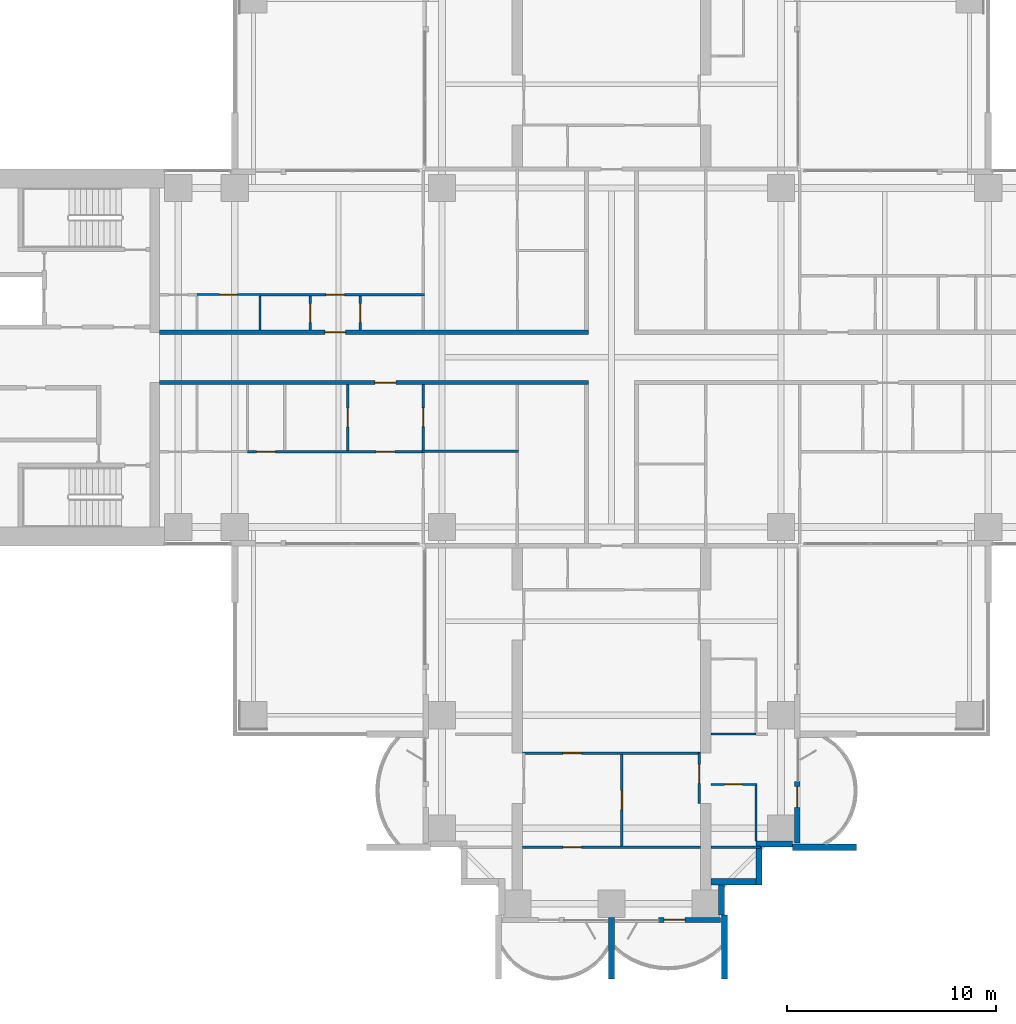
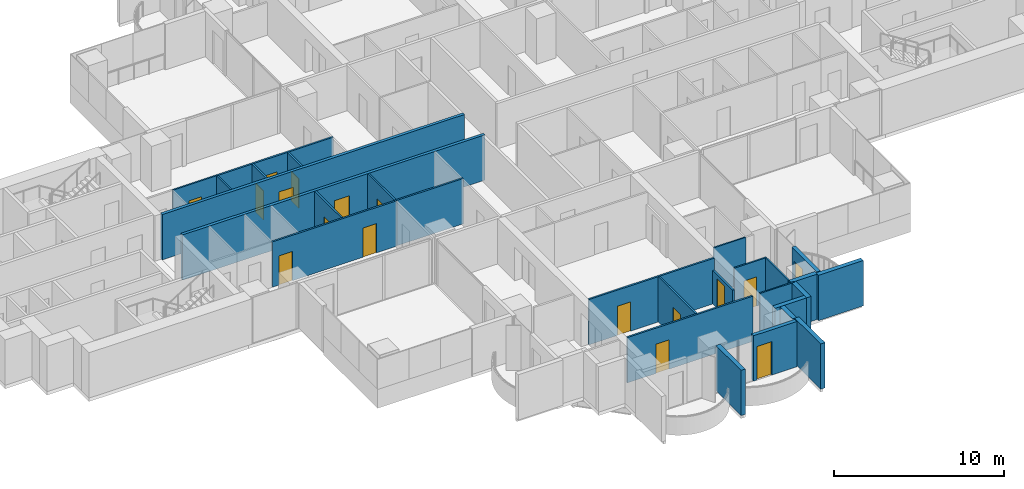
# One storey, part 11 of 21: 28 walls, 17 doors, 17 openings.
"""IFC4 building model written with IfcOpenShell, lengths in metres."""

from ifc_helpers import new_model, si_unit, direction, frame, frame_2d, origin, place, context, subcontext, project, spatial, rectangle, extrude, material, layer, layer_set, type_object, element, fill, save


model = new_model("IFC4")

# Units and contexts
model_context = context("Model", 3, precision=1e-05, world=origin(), true_north=direction((0.0, 1.0)))
body_context = subcontext(model_context, "Body", "Model", "MODEL_VIEW")
ifc_project = project(units=[si_unit("LENGTHUNIT", "METRE"), si_unit("AREAUNIT", "SQUARE_METRE"), si_unit("VOLUMEUNIT", "CUBIC_METRE"), si_unit("PLANEANGLEUNIT", "RADIAN"), si_unit("MASSUNIT", "GRAM", prefix="KILO")], contexts=[model_context])

# Site, building, storey
site_placement = place(None, origin())
site = spatial("IfcSite", under=ifc_project, at=site_placement, CompositionType="ELEMENT")
building_placement = place(site_placement, origin())
building = spatial("IfcBuilding", under=site, at=building_placement, Name="Perihelion Cross Residences", CompositionType="ELEMENT")
storey_placement = place(building_placement, frame((0.0, 0.0, 54.0)))
storey = spatial("IfcBuildingStorey", under=building, at=storey_placement, Name="L10", CompositionType="ELEMENT", Elevation=54.0)

# Wall, opening, door
ifc_material_1 = material(Name="Plasterboard partition")
ifc_layer_1 = layer(ifc_material_1, 0.199951171875)
ifc_layer_set_1 = layer_set([ifc_layer_1], Name="Apartment separation wall 200")
wall_type_1 = type_object("IfcWallType", Name="Apartment separation wall 200", PredefinedType="PARTITIONING", material=ifc_layer_set_1)
wall_1_placement = place(storey_placement, frame((-21.60009765625, 1.199951171875, 0.0), z_axis=(0.0, 0.0, 1.0), x_axis=(1.0, 0.0, 0.0)))
wall_1 = element("IfcWall", 1, at=wall_1_placement, inside=storey, type_object=wall_type_1, Name="Partition L10 W005", PredefinedType="PARTITIONING", context=body_context, shape_type="SweptSolid", body=[
    extrude(rectangle(XDim=20.5, YDim=0.199951171875, at=frame_2d((10.25, 0.0))), origin(), (0.0, 0.0, 1.0), 3.25),
])
opening_1_placement = place(wall_1_placement, frame((7.89990234375, 0.0, 0.0)))
opening_1 = element("IfcOpeningElement", 2, at=opening_1_placement, cuts=wall_1, Name="Opening L10.A49", PredefinedType="OPENING", context=body_context, shape_type="SweptSolid", body=[
    extrude(rectangle(XDim=1.0, YDim=2.10009765625, at=frame_2d((0.5, 1.050048828125))), frame((0.0, 0.10986328125, 0.0), z_axis=(0.0, -1.0, 0.0), x_axis=(1.0, 0.0, 0.0)), (0.0, 0.0, 1.0), 0.219970703125),
])
ifc_material_2 = material(Name="Timber door leaf", Category="wood")
door_type_1 = type_object("IfcDoorType", Name="Flat entrance door 1000 x 2100", OperationType="SINGLE_SWING_LEFT", PredefinedType="DOOR", material=ifc_material_2)
door_1_placement = place(opening_1_placement, origin())
door_1 = element("IfcDoor", 3, at=door_1_placement, inside=storey, type_object=door_type_1, Name="Door L10.A49", OperationType="SINGLE_SWING_LEFT", OverallHeight=2.10009765625, OverallWidth=1.0, PredefinedType="DOOR", context=body_context, shape_type="SweptSolid", body=[
    extrude(rectangle(XDim=1.0, YDim=2.10009765625, at=frame_2d((0.5, 1.050048828125))), frame((0.0, 0.02490234375, 0.0), z_axis=(0.0, -1.0, 0.0), x_axis=(1.0, 0.0, 0.0)), (0.0, 0.0, 1.0), 0.050048828125),
])
fill(opening_1, door_1)

wall_2_placement = place(storey_placement, frame((-1.10009765625, -1.199951171875, 0.0), z_axis=(0.0, 0.0, 1.0), x_axis=(-1.0, 0.0, 0.0)))
wall_2 = element("IfcWall", 4, at=wall_2_placement, inside=storey, type_object=wall_type_1, Name="Partition L10 W007", PredefinedType="PARTITIONING", context=body_context, shape_type="SweptSolid", body=[
    extrude(rectangle(XDim=20.5, YDim=0.199951171875, at=frame_2d((10.25, 0.0))), origin(), (0.0, 0.0, 1.0), 3.25),
])
opening_2_placement = place(wall_2_placement, frame((9.199951171875, 0.0, 0.0)))
opening_2 = element("IfcOpeningElement", 5, at=opening_2_placement, cuts=wall_2, Name="Opening L10.A50", PredefinedType="OPENING", context=body_context, shape_type="SweptSolid", body=[
    extrude(rectangle(XDim=1.0, YDim=2.10009765625, at=frame_2d((0.5, 1.050048828125))), frame((0.0, 0.10986328125, 0.0), z_axis=(0.0, -1.0, 0.0), x_axis=(1.0, 0.0, 0.0)), (0.0, 0.0, 1.0), 0.219970703125),
])
door_2_placement = place(opening_2_placement, origin())
door_2 = element("IfcDoor", 6, at=door_2_placement, inside=storey, type_object=door_type_1, Name="Door L10.A50", OperationType="SINGLE_SWING_RIGHT", OverallHeight=2.10009765625, OverallWidth=1.0, PredefinedType="DOOR", context=body_context, shape_type="SweptSolid", body=[
    extrude(rectangle(XDim=1.0, YDim=2.10009765625, at=frame_2d((0.5, 1.050048828125))), frame((0.0, 0.02490234375, 0.0), z_axis=(0.0, -1.0, 0.0), x_axis=(1.0, 0.0, 0.0)), (0.0, 0.0, 1.0), 0.050048828125),
])
fill(opening_2, door_2)

ifc_material_3 = material(Name="Concrete C30/37, bronze-clad", Category="concrete")
ifc_layer_2 = layer(ifc_material_3, 0.25)
ifc_layer_set_2 = layer_set([ifc_layer_2], Name="Bronze-clad pier wall 250")
wall_type_2 = type_object("IfcWallType", Name="Bronze-clad pier wall 250", PredefinedType="SOLIDWALL", material=ifc_layer_set_2)
wall_3_placement = place(storey_placement, frame((2.25, -26.875, 0.0), z_axis=(0.0, 0.0, 1.0), x_axis=(1.0, 0.0, 0.0)))
wall_3 = element("IfcWall", 7, at=wall_3_placement, inside=storey, type_object=wall_type_2, Name="Wall FW1 L10 south tip south bay 2 pier", PredefinedType="SOLIDWALL", context=body_context, shape_type="SweptSolid", body=[
    extrude(rectangle(XDim=2.949951171875, YDim=0.25, at=frame_2d((1.47509765625, 0.0))), origin(), (0.0, 0.0, 1.0), 3.25),
])
opening_3_placement = place(wall_3_placement, frame((0.25, 0.0, 0.0)))
opening_3 = element("IfcOpeningElement", 8, at=opening_3_placement, cuts=wall_3, Name="Opening L10.E13", PredefinedType="OPENING", context=body_context, shape_type="SweptSolid", body=[
    extrude(rectangle(XDim=1.0, YDim=2.39990234375, at=frame_2d((0.5, 1.199951171875))), frame((0.0, 0.135009765625, 0.0), z_axis=(0.0, -1.0, 0.0), x_axis=(1.0, 0.0, 0.0)), (0.0, 0.0, 1.0), 0.27001953125),
])
ifc_material_4 = material(Name="Bronze anodised aluminium, glazed", Category="aluminium")
door_type_2 = type_object("IfcDoorType", Name="Balcony door 1000 x 2400", OperationType="NOTDEFINED", PredefinedType="DOOR", material=ifc_material_4)
door_3_placement = place(opening_3_placement, origin())
door_3 = element("IfcDoor", 9, at=door_3_placement, inside=storey, type_object=door_type_2, Name="Door L10.E13 south tip south bay 2", OperationType="SINGLE_SWING_RIGHT", OverallHeight=2.39990234375, OverallWidth=1.0, PredefinedType="DOOR", context=body_context, shape_type="SweptSolid", body=[
    extrude(rectangle(XDim=1.0, YDim=2.39990234375, at=frame_2d((0.5, 1.199951171875))), frame((0.0, 0.02490234375, 0.0), z_axis=(0.0, -1.0, 0.0), x_axis=(1.0, 0.0, 0.0)), (0.0, 0.0, 1.0), 0.050048828125),
])
fill(opening_3, door_3)

wall_4_placement = place(storey_placement, frame((8.875, -23.199951171875, 0.0), z_axis=(0.0, 0.0, 1.0), x_axis=(0.0, 1.0, 0.0)))
wall_4 = element("IfcWall", 10, at=wall_4_placement, inside=storey, type_object=wall_type_2, Name="Wall FW1 L10 south side east bay 1 pier", PredefinedType="SOLIDWALL", context=body_context, shape_type="SweptSolid", body=[
    extrude(rectangle(XDim=2.949951171875, YDim=0.25, at=frame_2d((1.47509765625, 0.0))), origin(), (0.0, 0.0, 1.0), 3.25),
])
opening_4_placement = place(wall_4_placement, frame((1.699951171875, 0.0, 0.0)))
opening_4 = element("IfcOpeningElement", 11, at=opening_4_placement, cuts=wall_4, Name="Opening L10.E14", PredefinedType="OPENING", context=body_context, shape_type="SweptSolid", body=[
    extrude(rectangle(XDim=1.0, YDim=2.39990234375, at=frame_2d((0.5, 1.199951171875))), frame((0.0, 0.135009765625, 0.0), z_axis=(0.0, -1.0, 0.0), x_axis=(1.0, 0.0, 0.0)), (0.0, 0.0, 1.0), 0.27001953125),
])
door_4_placement = place(opening_4_placement, origin())
door_4 = element("IfcDoor", 12, at=door_4_placement, inside=storey, type_object=door_type_2, Name="Door L10.E14 south side east bay 1", OperationType="SINGLE_SWING_LEFT", OverallHeight=2.39990234375, OverallWidth=1.0, PredefinedType="DOOR", context=body_context, shape_type="SweptSolid", body=[
    extrude(rectangle(XDim=1.0, YDim=2.39990234375, at=frame_2d((0.5, 1.199951171875))), frame((0.0, 0.02490234375, 0.0), z_axis=(0.0, -1.0, 0.0), x_axis=(1.0, 0.0, 0.0)), (0.0, 0.0, 1.0), 0.050048828125),
])
fill(opening_4, door_4)

# Walls
ifc_material_5 = material(Name="Concrete C30/37, bronze-clad", Category="concrete")
ifc_layer_3 = layer(ifc_material_5, 0.300048828125)
ifc_layer_set_3 = layer_set([ifc_layer_3], Name="Bronze-clad serration wall 300")
wall_type_3 = type_object("IfcWallType", Name="Bronze-clad serration wall 300", PredefinedType="SOLIDWALL", material=ifc_layer_set_3)
wall_5_placement = place(storey_placement, frame((5.25, -26.64990234375, 0.0), z_axis=(0.0, 0.0, 1.0), x_axis=(0.0, 1.0, 0.0)))
element("IfcWall", 13, at=wall_5_placement, inside=storey, type_object=wall_type_3, Name="Wall SR1 L10 south corner south-east 1", PredefinedType="SOLIDWALL", context=body_context, shape_type="SweptSolid", body=[
    extrude(rectangle(XDim=1.449951171875, YDim=0.300048828125, at=frame_2d((0.72509765625, 0.0))), origin(), (0.0, 0.0, 1.0), 3.25),
])
wall_6_placement = place(storey_placement, frame((4.75, -25.050048828125, 0.0), z_axis=(0.0, 0.0, 1.0), x_axis=(1.0, 0.0, 0.0)))
element("IfcWall", 14, at=wall_6_placement, inside=storey, type_object=wall_type_3, Name="Wall SR1 L10 south corner south-east 2", PredefinedType="SOLIDWALL", context=body_context, shape_type="SweptSolid", body=[
    extrude(rectangle(XDim=2.14990234375, YDim=0.300048828125, at=frame_2d((1.074951171875, 0.0))), origin(), (0.0, 0.0, 1.0), 3.25),
])
wall_7_placement = place(storey_placement, frame((7.050048828125, -25.199951171875, 0.0), z_axis=(0.0, 0.0, 1.0), x_axis=(0.0, 1.0, 0.0)))
element("IfcWall", 15, at=wall_7_placement, inside=storey, type_object=wall_type_3, Name="Wall SR1 L10 south corner south-east 3", PredefinedType="SOLIDWALL", context=body_context, shape_type="SweptSolid", body=[
    extrude(rectangle(XDim=1.800048828125, YDim=0.300048828125, at=frame_2d((0.89990234375, 0.0))), origin(), (0.0, 0.0, 1.0), 3.25),
])
wall_8_placement = place(storey_placement, frame((6.89990234375, -23.25, 0.0), z_axis=(0.0, 0.0, 1.0), x_axis=(1.0, 0.0, 0.0)))
element("IfcWall", 16, at=wall_8_placement, inside=storey, type_object=wall_type_3, Name="Wall SR1 L10 south corner south-east 4", PredefinedType="SOLIDWALL", context=body_context, shape_type="SweptSolid", body=[
    extrude(rectangle(XDim=1.75, YDim=0.300048828125, at=frame_2d((0.875, 0.0))), origin(), (0.0, 0.0, 1.0), 3.25),
])

# Wall, opening, door
ifc_material_6 = material(Name="Plasterboard partition")
ifc_layer_4 = layer(ifc_material_6, 0.1201171875)
ifc_layer_set_4 = layer_set([ifc_layer_4], Name="Infill panel 120")
wall_type_4 = type_object("IfcWallType", Name="Infill panel 120", PredefinedType="PARTITIONING", material=ifc_layer_set_4)
wall_9_placement = place(storey_placement, frame((4.18994140625, -18.89990234375, 0.0), z_axis=(0.0, 0.0, 1.0), x_axis=(0.0, -1.0, 0.0)))
wall_9 = element("IfcWall", 17, at=wall_9_placement, inside=storey, type_object=wall_type_4, Name="Partition L10 WI06", PredefinedType="PARTITIONING", context=body_context, shape_type="SweptSolid", body=[
    extrude(rectangle(XDim=2.400146484375, YDim=0.1201171875, at=frame_2d((1.2001953125, 0.0))), origin(), (0.0, 0.0, 1.0), 2.39990234375),
])
opening_5_placement = place(wall_9_placement, frame((0.550048828125, 0.0, 0.0)))
opening_5 = element("IfcOpeningElement", 18, at=opening_5_placement, cuts=wall_9, Name="Opening L10.A56", PredefinedType="OPENING", context=body_context, shape_type="SweptSolid", body=[
    extrude(rectangle(XDim=0.89990234375, YDim=2.10009765625, at=frame_2d((0.449951171875, 1.050048828125))), frame((0.0, 0.070068359375, 0.0), z_axis=(0.0, -1.0, 0.0), x_axis=(1.0, 0.0, 0.0)), (0.0, 0.0, 1.0), 0.14013671875),
])
ifc_material_7 = material(Name="Timber door leaf", Category="wood")
door_type_3 = type_object("IfcDoorType", Name="Interior room door 900 x 2100", OperationType="SINGLE_SWING_LEFT", PredefinedType="DOOR", material=ifc_material_7)
door_5_placement = place(opening_5_placement, origin())
door_5 = element("IfcDoor", 19, at=door_5_placement, inside=storey, type_object=door_type_3, Name="Door L10.A56", OperationType="SINGLE_SWING_LEFT", OverallHeight=2.10009765625, OverallWidth=0.89990234375, PredefinedType="DOOR", context=body_context, shape_type="SweptSolid", body=[
    extrude(rectangle(XDim=0.89990234375, YDim=2.10009765625, at=frame_2d((0.449951171875, 1.050048828125))), frame((0.0, 0.02490234375, 0.0), z_axis=(0.0, -1.0, 0.0), x_axis=(1.0, 0.0, 0.0)), (0.0, 0.0, 1.0), 0.050048828125),
])
fill(opening_5, door_5)

ifc_material_8 = material(Name="Plasterboard partition")
ifc_layer_5 = layer(ifc_material_8, 0.1201171875)
ifc_layer_set_5 = layer_set([ifc_layer_5], Name="Partition wall 120")
wall_type_5 = type_object("IfcWallType", Name="Partition wall 120", PredefinedType="PARTITIONING", material=ifc_layer_set_5)
wall_10_placement = place(storey_placement, frame((-12.0, 1.300048828125, 0.0), z_axis=(0.0, 0.0, 1.0), x_axis=(0.0, 1.0, 0.0)))
wall_10 = element("IfcWall", 20, at=wall_10_placement, inside=storey, type_object=wall_type_5, Name="Partition L10 W031", PredefinedType="PARTITIONING", context=body_context, shape_type="SweptSolid", body=[
    extrude(rectangle(XDim=1.639892578125, YDim=0.1201171875, at=frame_2d((0.81982421875, 0.0))), origin(), (0.0, 0.0, 1.0), 3.25),
])
opening_6_placement = place(wall_10_placement, frame((0.3701171875, 0.0, 0.0)))
opening_6 = element("IfcOpeningElement", 21, at=opening_6_placement, cuts=wall_10, Name="Opening L10.A17", PredefinedType="OPENING", context=body_context, shape_type="SweptSolid", body=[
    extrude(rectangle(XDim=0.89990234375, YDim=2.10009765625, at=frame_2d((0.449951171875, 1.050048828125))), frame((0.0, 0.070068359375, 0.0), z_axis=(0.0, -1.0, 0.0), x_axis=(1.0, 0.0, 0.0)), (0.0, 0.0, 1.0), 0.14013671875),
])
door_6_placement = place(opening_6_placement, origin())
door_6 = element("IfcDoor", 22, at=door_6_placement, inside=storey, type_object=door_type_3, Name="Door L10.A17", OperationType="SINGLE_SWING_RIGHT", OverallHeight=2.10009765625, OverallWidth=0.89990234375, PredefinedType="DOOR", context=body_context, shape_type="SweptSolid", body=[
    extrude(rectangle(XDim=0.89990234375, YDim=2.10009765625, at=frame_2d((0.449951171875, 1.050048828125))), frame((0.0, 0.02490234375, 0.0), z_axis=(0.0, -1.0, 0.0), x_axis=(1.0, 0.0, 0.0)), (0.0, 0.0, 1.0), 0.050048828125),
])
fill(opening_6, door_6)

wall_11_placement = place(storey_placement, frame((-16.800048828125, 3.0, 0.0), z_axis=(0.0, 0.0, 1.0), x_axis=(1.0, 0.0, 0.0)))
wall_11 = element("IfcWall", 23, at=wall_11_placement, inside=storey, type_object=wall_type_5, Name="Partition L10 W032", PredefinedType="PARTITIONING", context=body_context, shape_type="SweptSolid", body=[
    extrude(rectangle(XDim=7.860107421875, YDim=0.1201171875, at=frame_2d((3.93017578125, 0.0))), origin(), (0.0, 0.0, 1.0), 3.25),
])
opening_7_placement = place(wall_11_placement, frame((3.14990234375, 0.0, 0.0)))
opening_7 = element("IfcOpeningElement", 24, at=opening_7_placement, cuts=wall_11, Name="Opening L10.A22", PredefinedType="OPENING", context=body_context, shape_type="SweptSolid", body=[
    extrude(rectangle(XDim=0.89990234375, YDim=2.10009765625, at=frame_2d((0.449951171875, 1.050048828125))), frame((0.0, 0.070068359375, 0.0), z_axis=(0.0, -1.0, 0.0), x_axis=(1.0, 0.0, 0.0)), (0.0, 0.0, 1.0), 0.14013671875),
])
door_7_placement = place(opening_7_placement, origin())
door_7 = element("IfcDoor", 25, at=door_7_placement, inside=storey, type_object=door_type_3, Name="Door L10.A22", OperationType="SINGLE_SWING_LEFT", OverallHeight=2.10009765625, OverallWidth=0.89990234375, PredefinedType="DOOR", context=body_context, shape_type="SweptSolid", body=[
    extrude(rectangle(XDim=0.89990234375, YDim=2.10009765625, at=frame_2d((0.449951171875, 1.050048828125))), frame((0.0, 0.02490234375, 0.0), z_axis=(0.0, -1.0, 0.0), x_axis=(1.0, 0.0, 0.0)), (0.0, 0.0, 1.0), 0.050048828125),
])
fill(opening_7, door_7)

wall_12_placement = place(storey_placement, frame((-14.39990234375, 1.300048828125, 0.0), z_axis=(0.0, 0.0, 1.0), x_axis=(0.0, 1.0, 0.0)))
wall_12 = element("IfcWall", 26, at=wall_12_placement, inside=storey, type_object=wall_type_5, Name="Partition L10 W034", PredefinedType="PARTITIONING", context=body_context, shape_type="SweptSolid", body=[
    extrude(rectangle(XDim=1.639892578125, YDim=0.1201171875, at=frame_2d((0.81982421875, 0.0))), origin(), (0.0, 0.0, 1.0), 3.25),
])
opening_8_placement = place(wall_12_placement, frame((0.3701171875, 0.0, 0.0)))
opening_8 = element("IfcOpeningElement", 27, at=opening_8_placement, cuts=wall_12, Name="Opening L10.A23", PredefinedType="OPENING", context=body_context, shape_type="SweptSolid", body=[
    extrude(rectangle(XDim=0.89990234375, YDim=2.10009765625, at=frame_2d((0.449951171875, 1.050048828125))), frame((0.0, 0.070068359375, 0.0), z_axis=(0.0, -1.0, 0.0), x_axis=(1.0, 0.0, 0.0)), (0.0, 0.0, 1.0), 0.14013671875),
])
door_8_placement = place(opening_8_placement, origin())
door_8 = element("IfcDoor", 28, at=door_8_placement, inside=storey, type_object=door_type_3, Name="Door L10.A23", OperationType="SINGLE_SWING_LEFT", OverallHeight=2.10009765625, OverallWidth=0.89990234375, PredefinedType="DOOR", context=body_context, shape_type="SweptSolid", body=[
    extrude(rectangle(XDim=0.89990234375, YDim=2.10009765625, at=frame_2d((0.449951171875, 1.050048828125))), frame((0.0, 0.02490234375, 0.0), z_axis=(0.0, -1.0, 0.0), x_axis=(1.0, 0.0, 0.0)), (0.0, 0.0, 1.0), 0.050048828125),
])
fill(opening_8, door_8)

wall_13_placement = place(storey_placement, frame((-12.60009765625, -4.43994140625, 0.0), z_axis=(0.0, 0.0, 1.0), x_axis=(0.0, 1.0, 0.0)))
wall_13 = element("IfcWall", 29, at=wall_13_placement, inside=storey, type_object=wall_type_5, Name="Partition L10 W042", PredefinedType="PARTITIONING", context=body_context, shape_type="SweptSolid", body=[
    extrude(rectangle(XDim=3.139892578125, YDim=0.1201171875, at=frame_2d((1.56982421875, 0.0))), origin(), (0.0, 0.0, 1.0), 3.25),
])
opening_9_placement = place(wall_13_placement, frame((1.1201171875, 0.0, 0.0)))
opening_9 = element("IfcOpeningElement", 30, at=opening_9_placement, cuts=wall_13, Name="Opening L10.A26", PredefinedType="OPENING", context=body_context, shape_type="SweptSolid", body=[
    extrude(rectangle(XDim=0.89990234375, YDim=2.10009765625, at=frame_2d((0.449951171875, 1.050048828125))), frame((0.0, 0.070068359375, 0.0), z_axis=(0.0, -1.0, 0.0), x_axis=(1.0, 0.0, 0.0)), (0.0, 0.0, 1.0), 0.14013671875),
])
door_9_placement = place(opening_9_placement, origin())
door_9 = element("IfcDoor", 31, at=door_9_placement, inside=storey, type_object=door_type_3, Name="Door L10.A26", OperationType="SINGLE_SWING_RIGHT", OverallHeight=2.10009765625, OverallWidth=0.89990234375, PredefinedType="DOOR", context=body_context, shape_type="SweptSolid", body=[
    extrude(rectangle(XDim=0.89990234375, YDim=2.10009765625, at=frame_2d((0.449951171875, 1.050048828125))), frame((0.0, 0.02490234375, 0.0), z_axis=(0.0, -1.0, 0.0), x_axis=(1.0, 0.0, 0.0)), (0.0, 0.0, 1.0), 0.050048828125),
])
fill(opening_9, door_9)

# Wall, openings, doors
wall_14_placement = place(storey_placement, frame((-8.93994140625, -4.5, 0.0), z_axis=(0.0, 0.0, 1.0), x_axis=(-1.0, 0.0, 0.0)))
wall_14 = element("IfcWall", 32, at=wall_14_placement, inside=storey, type_object=wall_type_5, Name="Partition L10 W043", PredefinedType="PARTITIONING", context=body_context, shape_type="SweptSolid", body=[
    extrude(rectangle(XDim=8.4599609375, YDim=0.1201171875, at=frame_2d((4.22998046875, 0.0))), origin(), (0.0, 0.0, 1.0), 3.25),
])
opening_10_placement = place(wall_14_placement, frame((7.110107421875, 0.0, 0.0)))
opening_10 = element("IfcOpeningElement", 33, at=opening_10_placement, cuts=wall_14, Name="Opening L10.A28", PredefinedType="OPENING", context=body_context, shape_type="SweptSolid", body=[
    extrude(rectangle(XDim=0.89990234375, YDim=2.10009765625, at=frame_2d((0.449951171875, 1.050048828125))), frame((0.0, 0.070068359375, 0.0), z_axis=(0.0, -1.0, 0.0), x_axis=(1.0, 0.0, 0.0)), (0.0, 0.0, 1.0), 0.14013671875),
])
opening_11_placement = place(wall_14_placement, frame((1.409912109375, 0.0, 0.0)))
opening_11 = element("IfcOpeningElement", 34, at=opening_11_placement, cuts=wall_14, Name="Opening L10.A31", PredefinedType="OPENING", context=body_context, shape_type="SweptSolid", body=[
    extrude(rectangle(XDim=0.89990234375, YDim=2.10009765625, at=frame_2d((0.449951171875, 1.050048828125))), frame((0.0, 0.070068359375, 0.0), z_axis=(0.0, -1.0, 0.0), x_axis=(1.0, 0.0, 0.0)), (0.0, 0.0, 1.0), 0.14013671875),
])
door_10_placement = place(opening_10_placement, origin())
door_10 = element("IfcDoor", 35, at=door_10_placement, inside=storey, type_object=door_type_3, Name="Door L10.A28", OperationType="SINGLE_SWING_RIGHT", OverallHeight=2.10009765625, OverallWidth=0.89990234375, PredefinedType="DOOR", context=body_context, shape_type="SweptSolid", body=[
    extrude(rectangle(XDim=0.89990234375, YDim=2.10009765625, at=frame_2d((0.449951171875, 1.050048828125))), frame((0.0, 0.02490234375, 0.0), z_axis=(0.0, -1.0, 0.0), x_axis=(1.0, 0.0, 0.0)), (0.0, 0.0, 1.0), 0.050048828125),
])
fill(opening_10, door_10)
door_11_placement = place(opening_11_placement, origin())
door_11 = element("IfcDoor", 36, at=door_11_placement, inside=storey, type_object=door_type_3, Name="Door L10.A31", OperationType="SINGLE_SWING_LEFT", OverallHeight=2.10009765625, OverallWidth=0.89990234375, PredefinedType="DOOR", context=body_context, shape_type="SweptSolid", body=[
    extrude(rectangle(XDim=0.89990234375, YDim=2.10009765625, at=frame_2d((0.449951171875, 1.050048828125))), frame((0.0, 0.02490234375, 0.0), z_axis=(0.0, -1.0, 0.0), x_axis=(1.0, 0.0, 0.0)), (0.0, 0.0, 1.0), 0.050048828125),
])
fill(opening_11, door_11)

# Wall, opening, door
wall_15_placement = place(storey_placement, frame((-9.0, -1.300048828125, 0.0), z_axis=(0.0, 0.0, 1.0), x_axis=(0.0, -1.0, 0.0)))
wall_15 = element("IfcWall", 37, at=wall_15_placement, inside=storey, type_object=wall_type_5, Name="Partition L10 W044", PredefinedType="PARTITIONING", context=body_context, shape_type="SweptSolid", body=[
    extrude(rectangle(XDim=3.115966796875, YDim=0.1201171875, at=frame_2d((1.55810546875, 0.0))), origin(), (0.0, 0.0, 1.0), 3.25),
])
opening_12_placement = place(wall_15_placement, frame((1.10791015625, 0.0, 0.0)))
opening_12 = element("IfcOpeningElement", 38, at=opening_12_placement, cuts=wall_15, Name="Opening L10.A27", PredefinedType="OPENING", context=body_context, shape_type="SweptSolid", body=[
    extrude(rectangle(XDim=0.89990234375, YDim=2.10009765625, at=frame_2d((0.449951171875, 1.050048828125))), frame((0.0, 0.070068359375, 0.0), z_axis=(0.0, -1.0, 0.0), x_axis=(1.0, 0.0, 0.0)), (0.0, 0.0, 1.0), 0.14013671875),
])
door_12_placement = place(opening_12_placement, origin())
door_12 = element("IfcDoor", 39, at=door_12_placement, inside=storey, type_object=door_type_3, Name="Door L10.A27", OperationType="SINGLE_SWING_LEFT", OverallHeight=2.10009765625, OverallWidth=0.89990234375, PredefinedType="DOOR", context=body_context, shape_type="SweptSolid", body=[
    extrude(rectangle(XDim=0.89990234375, YDim=2.10009765625, at=frame_2d((0.449951171875, 1.050048828125))), frame((0.0, 0.02490234375, 0.0), z_axis=(0.0, -1.0, 0.0), x_axis=(1.0, 0.0, 0.0)), (0.0, 0.0, 1.0), 0.050048828125),
])
fill(opening_12, door_12)

# Wall
wall_16_placement = place(storey_placement, frame((-4.43994140625, -4.47607421875, 0.0), z_axis=(0.0, 0.0, 1.0), x_axis=(-1.0, 0.0, 0.0)))
element("IfcWall", 40, at=wall_16_placement, inside=storey, type_object=wall_type_5, Name="Partition L10 W051", PredefinedType="PARTITIONING", context=body_context, shape_type="SweptSolid", body=[
    extrude(rectangle(XDim=4.6201171875, YDim=0.1201171875, at=frame_2d((2.31005859375, 0.0))), origin(), (0.0, 0.0, 1.0), 3.25),
])

# Wall, opening, door
wall_17_placement = place(storey_placement, frame((4.25, -18.89990234375, 0.0), z_axis=(0.0, 0.0, 1.0), x_axis=(-1.0, 0.0, 0.0)))
wall_17 = element("IfcWall", 41, at=wall_17_placement, inside=storey, type_object=wall_type_5, Name="Partition L10 W069", PredefinedType="PARTITIONING", context=body_context, shape_type="SweptSolid", body=[
    extrude(rectangle(XDim=8.5, YDim=0.1201171875, at=frame_2d((4.25, 0.0))), origin(), (0.0, 0.0, 1.0), 3.25),
])
opening_13_placement = place(wall_17_placement, frame((5.675048828125, 0.0, 0.0)))
opening_13 = element("IfcOpeningElement", 42, at=opening_13_placement, cuts=wall_17, Name="Opening L10.A42", PredefinedType="OPENING", context=body_context, shape_type="SweptSolid", body=[
    extrude(rectangle(XDim=0.89990234375, YDim=2.10009765625, at=frame_2d((0.449951171875, 1.050048828125))), frame((0.0, 0.070068359375, 0.0), z_axis=(0.0, -1.0, 0.0), x_axis=(1.0, 0.0, 0.0)), (0.0, 0.0, 1.0), 0.14013671875),
])
door_13_placement = place(opening_13_placement, origin())
door_13 = element("IfcDoor", 43, at=door_13_placement, inside=storey, type_object=door_type_3, Name="Door L10.A42", OperationType="SINGLE_SWING_LEFT", OverallHeight=2.10009765625, OverallWidth=0.89990234375, PredefinedType="DOOR", context=body_context, shape_type="SweptSolid", body=[
    extrude(rectangle(XDim=0.89990234375, YDim=2.10009765625, at=frame_2d((0.449951171875, 1.050048828125))), frame((0.0, 0.02490234375, 0.0), z_axis=(0.0, -1.0, 0.0), x_axis=(1.0, 0.0, 0.0)), (0.0, 0.0, 1.0), 0.050048828125),
])
fill(opening_13, door_13)

wall_18_placement = place(storey_placement, frame((0.5, -18.9599609375, 0.0), z_axis=(0.0, 0.0, 1.0), x_axis=(0.0, -1.0, 0.0)))
wall_18 = element("IfcWall", 44, at=wall_18_placement, inside=storey, type_object=wall_type_5, Name="Partition L10 W070", PredefinedType="PARTITIONING", context=body_context, shape_type="SweptSolid", body=[
    extrude(rectangle(XDim=4.380126953125, YDim=0.1201171875, at=frame_2d((2.18994140625, 0.0))), origin(), (0.0, 0.0, 1.0), 3.25),
])
opening_14_placement = place(wall_18_placement, frame((1.739990234375, 0.0, 0.0)))
opening_14 = element("IfcOpeningElement", 45, at=opening_14_placement, cuts=wall_18, Name="Opening L10.A43", PredefinedType="OPENING", context=body_context, shape_type="SweptSolid", body=[
    extrude(rectangle(XDim=0.89990234375, YDim=2.10009765625, at=frame_2d((0.449951171875, 1.050048828125))), frame((0.0, 0.070068359375, 0.0), z_axis=(0.0, -1.0, 0.0), x_axis=(1.0, 0.0, 0.0)), (0.0, 0.0, 1.0), 0.14013671875),
])
door_14_placement = place(opening_14_placement, origin())
door_14 = element("IfcDoor", 46, at=door_14_placement, inside=storey, type_object=door_type_3, Name="Door L10.A43", OperationType="SINGLE_SWING_LEFT", OverallHeight=2.10009765625, OverallWidth=0.89990234375, PredefinedType="DOOR", context=body_context, shape_type="SweptSolid", body=[
    extrude(rectangle(XDim=0.89990234375, YDim=2.10009765625, at=frame_2d((0.449951171875, 1.050048828125))), frame((0.0, 0.02490234375, 0.0), z_axis=(0.0, -1.0, 0.0), x_axis=(1.0, 0.0, 0.0)), (0.0, 0.0, 1.0), 0.050048828125),
])
fill(opening_14, door_14)

wall_19_placement = place(storey_placement, frame((4.25, -23.39990234375, 0.0), z_axis=(0.0, 0.0, 1.0), x_axis=(-1.0, 0.0, 0.0)))
wall_19 = element("IfcWall", 47, at=wall_19_placement, inside=storey, type_object=wall_type_5, Name="Partition L10 W071", PredefinedType="PARTITIONING", context=body_context, shape_type="SweptSolid", body=[
    extrude(rectangle(XDim=8.5, YDim=0.1201171875, at=frame_2d((4.25, 0.0))), origin(), (0.0, 0.0, 1.0), 3.25),
])
opening_15_placement = place(wall_19_placement, frame((5.675048828125, 0.0, 0.0)))
opening_15 = element("IfcOpeningElement", 48, at=opening_15_placement, cuts=wall_19, Name="Opening L10.A44", PredefinedType="OPENING", context=body_context, shape_type="SweptSolid", body=[
    extrude(rectangle(XDim=0.89990234375, YDim=2.10009765625, at=frame_2d((0.449951171875, 1.050048828125))), frame((0.0, 0.070068359375, 0.0), z_axis=(0.0, -1.0, 0.0), x_axis=(1.0, 0.0, 0.0)), (0.0, 0.0, 1.0), 0.14013671875),
])
door_15_placement = place(opening_15_placement, origin())
door_15 = element("IfcDoor", 49, at=door_15_placement, inside=storey, type_object=door_type_3, Name="Door L10.A44", OperationType="SINGLE_SWING_RIGHT", OverallHeight=2.10009765625, OverallWidth=0.89990234375, PredefinedType="DOOR", context=body_context, shape_type="SweptSolid", body=[
    extrude(rectangle(XDim=0.89990234375, YDim=2.10009765625, at=frame_2d((0.449951171875, 1.050048828125))), frame((0.0, 0.02490234375, 0.0), z_axis=(0.0, -1.0, 0.0), x_axis=(1.0, 0.0, 0.0)), (0.0, 0.0, 1.0), 0.050048828125),
])
fill(opening_15, door_15)

# Walls
ifc_material_9 = material(Name="Precast concrete C50/60", Category="concrete")
ifc_layer_6 = layer(ifc_material_9, 0.300048828125)
ifc_layer_set_6 = layer_set([ifc_layer_6], Name="Precast concrete C50/60 blade wall 300")
wall_type_6 = type_object("IfcWallType", Name="Precast concrete C50/60 blade wall 300", PredefinedType="SOLIDWALL", material=ifc_layer_set_6)
wall_20_placement = place(storey_placement, frame((0.0, -26.75, 0.0), z_axis=(0.0, 0.0, 1.0), x_axis=(0.0, -1.0, 0.0)))
element("IfcWall", 50, at=wall_20_placement, inside=storey, type_object=wall_type_6, Name="Wall BL1 L10 no. 9", PredefinedType="SOLIDWALL", context=body_context, shape_type="SweptSolid", body=[
    extrude(rectangle(XDim=2.949951171875, YDim=0.300048828125, at=frame_2d((1.47509765625, 0.0))), origin(), (0.0, 0.0, 1.0), 3.25),
])
for number, where, z_axis, x_axis, name in (
    (51, (5.39990234375, -26.64990234375, 0.0), (0.0, 0.0, 1.0), (0.0, -1.0, 0.0), "Wall BL1 L10 no. 13"),
    (52, (8.64990234375, -23.39990234375, 0.0), (0.0, 0.0, 1.0), (1.0, 0.0, 0.0), "Wall BL1 L10 no. 16"),
):
    element("IfcWall", number, at=place(storey_placement, frame(where, z_axis=z_axis, x_axis=x_axis)), inside=storey, type_object=wall_type_6, Name=name, PredefinedType="SOLIDWALL", context=body_context, shape_type="SweptSolid", body=[
        extrude(rectangle(XDim=3.050048828125, YDim=0.300048828125, at=frame_2d((1.52490234375, 0.0))), origin(), (0.0, 0.0, 1.0), 3.25),
    ])
ifc_material_10 = material(Name="Plasterboard partition")
ifc_layer_7 = layer(ifc_material_10, 0.10009765625)
ifc_layer_set_7 = layer_set([ifc_layer_7], Name="Wet room wall 100")
wall_type_7 = type_object("IfcWallType", Name="Wet room wall 100", PredefinedType="PARTITIONING", material=ifc_layer_set_7)
wall_21_placement = place(storey_placement, frame((-16.800048828125, 1.300048828125, 0.0), z_axis=(0.0, 0.0, 1.0), x_axis=(0.0, 1.0, 0.0)))
element("IfcWall", 53, at=wall_21_placement, inside=storey, type_object=wall_type_7, Name="Partition L10 W035", PredefinedType="PARTITIONING", context=body_context, shape_type="SweptSolid", body=[
    extrude(rectangle(XDim=1.639892578125, YDim=0.10009765625, at=frame_2d((0.81982421875, 0.0))), origin(), (0.0, 0.0, 1.0), 3.25),
])

# Wall, opening, door
wall_22_placement = place(storey_placement, frame((-19.800048828125, 3.0, 0.0), z_axis=(0.0, 0.0, 1.0), x_axis=(1.0, 0.0, 0.0)))
wall_22 = element("IfcWall", 54, at=wall_22_placement, inside=storey, type_object=wall_type_7, Name="Partition L10 W037", PredefinedType="PARTITIONING", context=body_context, shape_type="SweptSolid", body=[
    extrude(rectangle(XDim=3.0, YDim=0.10009765625, at=frame_2d((1.5, 0.0))), origin(), (0.0, 0.0, 1.0), 3.25),
])
opening_16_placement = place(wall_22_placement, frame((1.074951171875, 0.0, 0.0)))
opening_16 = element("IfcOpeningElement", 55, at=opening_16_placement, cuts=wall_22, Name="Opening L10.A16", PredefinedType="OPENING", context=body_context, shape_type="SweptSolid", body=[
    extrude(rectangle(XDim=0.85009765625, YDim=2.10009765625, at=frame_2d((0.425048828125, 1.050048828125))), frame((0.0, 0.06005859375, 0.0), z_axis=(0.0, -1.0, 0.0), x_axis=(1.0, 0.0, 0.0)), (0.0, 0.0, 1.0), 0.1201171875),
])
ifc_material_11 = material(Name="Timber door leaf", Category="wood")
door_type_4 = type_object("IfcDoorType", Name="Interior bathroom door 850 x 2100", OperationType="SINGLE_SWING_LEFT", PredefinedType="DOOR", material=ifc_material_11)
door_16_placement = place(opening_16_placement, origin())
door_16 = element("IfcDoor", 56, at=door_16_placement, inside=storey, type_object=door_type_4, Name="Door L10.A16", OperationType="SINGLE_SWING_LEFT", OverallHeight=2.10009765625, OverallWidth=0.85009765625, PredefinedType="DOOR", context=body_context, shape_type="SweptSolid", body=[
    extrude(rectangle(XDim=0.85009765625, YDim=2.10009765625, at=frame_2d((0.425048828125, 1.050048828125))), frame((0.0, 0.02490234375, 0.0), z_axis=(0.0, -1.0, 0.0), x_axis=(1.0, 0.0, 0.0)), (0.0, 0.0, 1.0), 0.050048828125),
])
fill(opening_16, door_16)

# Walls
wall_23_placement = place(storey_placement, frame((6.89990234375, -18.0, 0.0), z_axis=(0.0, 0.0, 1.0), x_axis=(-1.0, 0.0, 0.0)))
element("IfcWall", 57, at=wall_23_placement, inside=storey, type_object=wall_type_7, Name="Partition L10 W075", PredefinedType="PARTITIONING", context=body_context, shape_type="SweptSolid", body=[
    extrude(rectangle(XDim=2.14990234375, YDim=0.10009765625, at=frame_2d((1.074951171875, 0.0))), origin(), (0.0, 0.0, 1.0), 3.25),
])
wall_24_placement = place(storey_placement, frame((6.89990234375, -23.10009765625, 0.0), z_axis=(0.0, 0.0, 1.0), x_axis=(0.0, 1.0, 0.0)))
element("IfcWall", 58, at=wall_24_placement, inside=storey, type_object=wall_type_7, Name="Partition L10 W076", PredefinedType="PARTITIONING", context=body_context, shape_type="SweptSolid", body=[
    extrude(rectangle(XDim=2.650146484375, YDim=0.10009765625, at=frame_2d((1.3251953125, 0.0))), origin(), (0.0, 0.0, 1.0), 3.25),
])

# Wall, opening, door
wall_25_placement = place(storey_placement, frame((6.949951171875, -20.39990234375, 0.0), z_axis=(0.0, 0.0, 1.0), x_axis=(-1.0, 0.0, 0.0)))
wall_25 = element("IfcWall", 59, at=wall_25_placement, inside=storey, type_object=wall_type_7, Name="Partition L10 W077", PredefinedType="PARTITIONING", context=body_context, shape_type="SweptSolid", body=[
    extrude(rectangle(XDim=2.199951171875, YDim=0.10009765625, at=frame_2d((1.10009765625, 0.0))), origin(), (0.0, 0.0, 1.0), 3.25),
])
opening_17_placement = place(wall_25_placement, frame((0.699951171875, 0.0, 0.0)))
opening_17 = element("IfcOpeningElement", 60, at=opening_17_placement, cuts=wall_25, Name="Opening L10.A46", PredefinedType="OPENING", context=body_context, shape_type="SweptSolid", body=[
    extrude(rectangle(XDim=0.85009765625, YDim=2.10009765625, at=frame_2d((0.425048828125, 1.050048828125))), frame((0.0, 0.06005859375, 0.0), z_axis=(0.0, -1.0, 0.0), x_axis=(1.0, 0.0, 0.0)), (0.0, 0.0, 1.0), 0.1201171875),
])
door_17_placement = place(opening_17_placement, origin())
door_17 = element("IfcDoor", 61, at=door_17_placement, inside=storey, type_object=door_type_4, Name="Door L10.A46", OperationType="SINGLE_SWING_RIGHT", OverallHeight=2.10009765625, OverallWidth=0.85009765625, PredefinedType="DOOR", context=body_context, shape_type="SweptSolid", body=[
    extrude(rectangle(XDim=0.85009765625, YDim=2.10009765625, at=frame_2d((0.425048828125, 1.050048828125))), frame((0.0, 0.02490234375, 0.0), z_axis=(0.0, -1.0, 0.0), x_axis=(1.0, 0.0, 0.0)), (0.0, 0.0, 1.0), 0.050048828125),
])
fill(opening_17, door_17)

# Wall
wall_26_placement = place(storey_placement, frame((7.1201171875, -23.39990234375, 0.0), z_axis=(0.0, 0.0, 1.0), x_axis=(-1.0, 0.0, 0.0)))
element("IfcWall", 62, at=wall_26_placement, inside=storey, type_object=wall_type_7, Name="Partition L10 W078", PredefinedType="PARTITIONING", context=body_context, shape_type="SweptSolid", body=[
    extrude(rectangle(XDim=2.3701171875, YDim=0.10009765625, at=frame_2d((1.18505859375, 0.0))), origin(), (0.0, 0.0, 1.0), 3.25),
])

save(model, "model.ifc")
